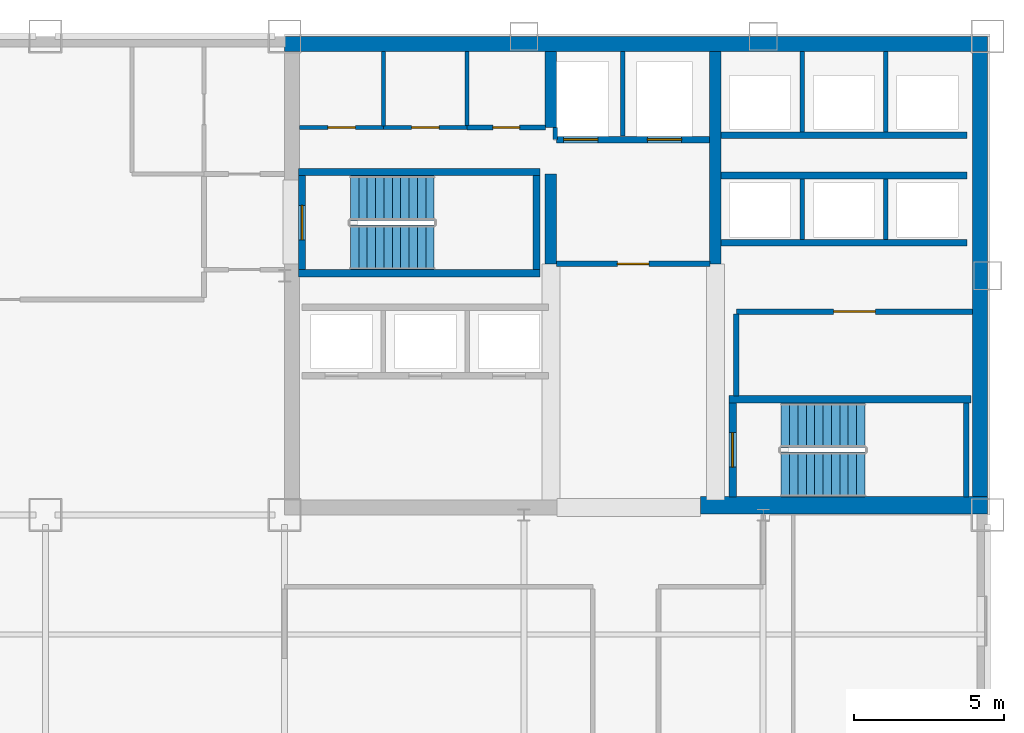
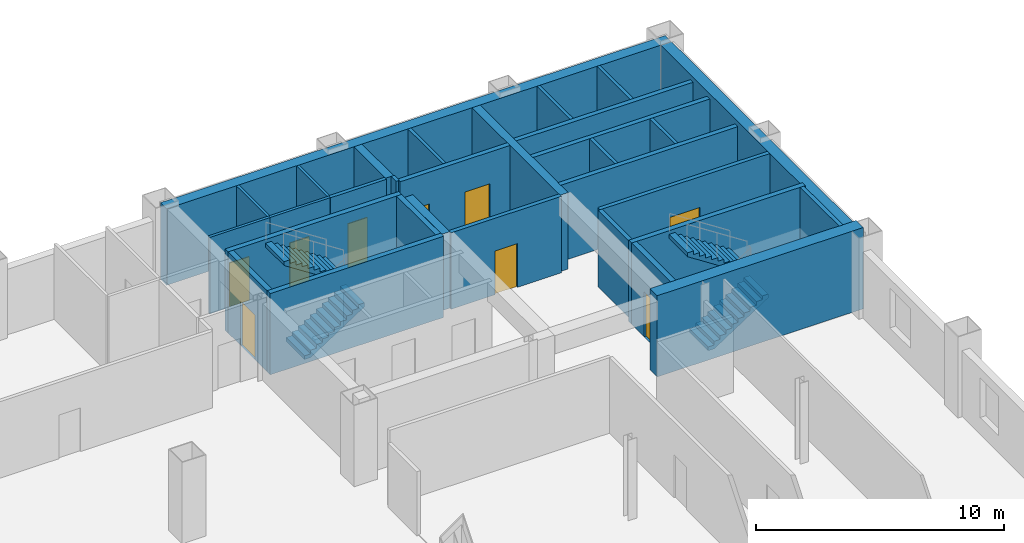
# One storey, part 7 of 9: 31 walls, 9 doors, 4 stair flights, 9 openings, 2 elements without a shape of their own.
"""IFC4 building model written with IfcOpenShell, lengths in metres."""

from ifc_helpers import new_model, si_unit, direction, frame, frame_2d, origin, place, context, subcontext, project, spatial, polyline, rectangle, outline, extrude, material, layer, layer_set, type_object, element, fill, aggregate, save


model = new_model("IFC4")

# Units and contexts
model_context = context("Model", 3, precision=1e-05, world=origin(), true_north=direction((0.0, 1.0)))
body_context = subcontext(model_context, "Body", "Model", "MODEL_VIEW")
ifc_project = project(units=[si_unit("LENGTHUNIT", "METRE"), si_unit("AREAUNIT", "SQUARE_METRE"), si_unit("VOLUMEUNIT", "CUBIC_METRE"), si_unit("PLANEANGLEUNIT", "RADIAN"), si_unit("MASSUNIT", "GRAM", prefix="KILO")], contexts=[model_context])

# Site, building, storey
site_placement = place(None, origin())
site = spatial("IfcSite", under=ifc_project, at=site_placement, CompositionType="ELEMENT")
building_placement = place(site_placement, origin())
building = spatial("IfcBuilding", under=site, at=building_placement, Name="Qianrong Seaharbour Tower", CompositionType="ELEMENT")
storey_placement = place(building_placement, frame((0.0, 0.0, 155.0)))
storey = spatial("IfcBuildingStorey", under=building, at=storey_placement, Name="L37", CompositionType="ELEMENT", Elevation=155.0)

# Walls
ifc_material_1 = material(Name="Concrete C60/75", Category="concrete")
ifc_layer_1 = layer(ifc_material_1, 0.5)
ifc_layer_set_1 = layer_set([ifc_layer_1], Name="Concrete C60/75")
wall_type_1 = type_object("IfcWallType", Name="WALL-CORE-500", PredefinedType="SHEAR", material=ifc_layer_set_1)
wall_1_placement = place(storey_placement, frame((40.5, 51.75, 0.0), z_axis=(0.0, 0.0, 1.0), x_axis=(1.0, 0.0, 0.0)))
element("IfcWall", 1, at=wall_1_placement, inside=storey, type_object=wall_type_1, Name="L37 North Core Shear Wall", PredefinedType="SHEAR", context=body_context, shape_type="SweptSolid", body=[
    extrude(rectangle(XDim=23.5, YDim=0.5, at=frame_2d((11.75, 0.0))), origin(), (0.0, 0.0, 1.0), 3.764892578125),
])
wall_2_placement = place(storey_placement, frame((63.75, 36.320068359375, 0.0), z_axis=(0.0, 0.0, 1.0), x_axis=(0.0, 1.0, 0.0)))
element("IfcWall", 2, at=wall_2_placement, inside=storey, type_object=wall_type_1, Name="L37 East Core Shear Wall", PredefinedType="SHEAR", context=body_context, shape_type="SweptSolid", body=[
    extrude(rectangle(XDim=15.179931640625, YDim=0.5, at=frame_2d((7.58984375, 0.0))), origin(), (0.0, 0.0, 1.0), 3.764892578125),
])
ifc_material_2 = material(Name="Concrete C70/85", Category="concrete")
ifc_layer_2 = layer(ifc_material_2, 0.580078125)
ifc_layer_set_2 = layer_set([ifc_layer_2], Name="Concrete C70/85")
wall_type_2 = type_object("IfcWallType", Name="WALL-CORE-580", PredefinedType="SHEAR", material=ifc_layer_set_2)
wall_3_placement = place(storey_placement, frame((54.39990234375, 36.320068359375, 0.0), z_axis=(0.0, 0.0, 1.0), x_axis=(1.0, 0.0, 0.0)))
element("IfcWall", 3, at=wall_3_placement, inside=storey, type_object=wall_type_2, Name="L37 South Core Shear Wall S3", PredefinedType="SHEAR", context=body_context, shape_type="SweptSolid", body=[
    extrude(rectangle(XDim=9.60009765625, YDim=0.580078125, at=frame_2d((4.800048828125, 0.0))), origin(), (0.0, 0.0, 1.0), 4.0),
])
ifc_layer_3 = layer(ifc_material_1, 0.3798828125)
ifc_layer_set_3 = layer_set([ifc_layer_3], Name="Concrete C60/75")
wall_type_3 = type_object("IfcWallType", Name="WALL-CORE-INT-380", PredefinedType="SHEAR", material=ifc_layer_set_3)
wall_4_placement = place(storey_placement, frame((49.39990234375, 44.39990234375, 0.0), z_axis=(0.0, 0.0, 1.0), x_axis=(0.0, 1.0, 0.0)))
element("IfcWall", 4, at=wall_4_placement, inside=storey, type_object=wall_type_3, Name="L37 Internal Core Shear Wall IW1N1", PredefinedType="SHEAR", context=body_context, shape_type="SweptSolid", body=[
    extrude(rectangle(XDim=3.0, YDim=0.3798828125, at=frame_2d((1.5, 0.0))), origin(), (0.0, 0.0, 1.0), 3.764892578125),
])
wall_5_placement = place(storey_placement, frame((49.39990234375, 48.949951171875, 0.0), z_axis=(0.0, 0.0, 1.0), x_axis=(0.0, 1.0, 0.0)))
element("IfcWall", 5, at=wall_5_placement, inside=storey, type_object=wall_type_3, Name="L37 Internal Core Shear Wall IW1N2", PredefinedType="SHEAR", context=body_context, shape_type="SweptSolid", body=[
    extrude(rectangle(XDim=2.550048828125, YDim=0.3798828125, at=frame_2d((1.27490234375, 0.0))), origin(), (0.0, 0.0, 1.0), 3.764892578125),
])
wall_6_placement = place(storey_placement, frame((54.89990234375, 44.39990234375, 0.0), z_axis=(0.0, 0.0, 1.0), x_axis=(0.0, 1.0, 0.0)))
element("IfcWall", 6, at=wall_6_placement, inside=storey, type_object=wall_type_3, Name="L37 Internal Core Shear Wall IW2N", PredefinedType="SHEAR", context=body_context, shape_type="SweptSolid", body=[
    extrude(rectangle(XDim=7.10009765625, YDim=0.3798828125, at=frame_2d((3.550048828125, 0.0))), origin(), (0.0, 0.0, 1.0), 3.764892578125),
])

# Wall, opening, door
ifc_material_3 = material(Name="Fire-rated acoustic gypsum board partition")
ifc_layer_4 = layer(ifc_material_3, 0.1650390625)
ifc_layer_set_4 = layer_set([ifc_layer_4], Name="Fire-rated acoustic gypsum board partition")
wall_type_4 = type_object("IfcWallType", Name="WALL-CORR-PART-165", PredefinedType="PARTITIONING", material=ifc_layer_set_4)
wall_7_placement = place(storey_placement, frame((46.60009765625, 48.949951171875, 0.0), z_axis=(0.0, 0.0, 1.0), x_axis=(1.0, 0.0, 0.0)))
wall_7 = element("IfcWall", 7, at=wall_7_placement, inside=storey, type_object=wall_type_4, Name="L37 Interior Partition Wall 009", PredefinedType="PARTITIONING", context=body_context, shape_type="SweptSolid", body=[
    extrude(rectangle(XDim=2.617919921875, YDim=0.1650390625, at=frame_2d((1.30908203125, 0.0))), origin(), (0.0, 0.0, 1.0), 3.764892578125),
])
opening_1_placement = place(wall_7_placement, frame((0.85888671875, 0.0, 0.0)))
opening_1 = element("IfcOpeningElement", 8, at=opening_1_placement, cuts=wall_7, Name="Opening DS-01", PredefinedType="OPENING", context=body_context, shape_type="SweptSolid", body=[
    extrude(rectangle(XDim=0.89990234375, YDim=2.14990234375, at=frame_2d((0.449951171875, 1.074951171875))), frame((0.0, 0.092529296875, 0.0), z_axis=(0.0, -1.0, 0.0), x_axis=(1.0, 0.0, 0.0)), (0.0, 0.0, 1.0), 0.18505859375),
])
ifc_material_4 = material(Name="Acoustic timber and galvanized steel fire door assembly", Category="steel")
door_type_1 = type_object("IfcDoorType", Name="DOOR-STORE-900x2150", OperationType="NOTDEFINED", PredefinedType="DOOR", material=ifc_material_4)
door_1_placement = place(opening_1_placement, origin())
door_1 = element("IfcDoor", 9, at=door_1_placement, inside=storey, type_object=door_type_1, Name="L37 Cleaner Store Room Door", OperationType="SINGLE_SWING_LEFT", OverallHeight=2.14990234375, OverallWidth=0.89990234375, PredefinedType="DOOR", context=body_context, shape_type="SweptSolid", body=[
    extrude(rectangle(XDim=0.89990234375, YDim=2.14990234375, at=frame_2d((0.449951171875, 1.074951171875))), frame((0.0, 0.02490234375, 0.0), z_axis=(0.0, -1.0, 0.0), x_axis=(1.0, 0.0, 0.0)), (0.0, 0.0, 1.0), 0.050048828125),
])
fill(opening_1, door_1)

ifc_material_5 = material(Name="Double fire-rated gypsum board acoustic partition")
ifc_layer_5 = layer(ifc_material_5, 0.18994140625)
ifc_layer_set_5 = layer_set([ifc_layer_5], Name="Double fire-rated gypsum board acoustic partition")
wall_type_5 = type_object("IfcWallType", Name="WALL-FIRE-PART-190", PredefinedType="PARTITIONING", material=ifc_layer_set_5)
wall_8_placement = place(storey_placement, frame((54.718017578125, 44.39990234375, 0.0), z_axis=(0.0, 0.0, 1.0), x_axis=(-1.0, 0.0, 0.0)))
wall_8 = element("IfcWall", 10, at=wall_8_placement, inside=storey, type_object=wall_type_5, Name="L37 Interior Partition Wall 010", PredefinedType="PARTITIONING", context=body_context, shape_type="SweptSolid", body=[
    extrude(rectangle(XDim=5.135986328125, YDim=0.18994140625, at=frame_2d((2.56787109375, 0.0))), origin(), (0.0, 0.0, 1.0), 3.764892578125),
])
opening_2_placement = place(wall_8_placement, frame((2.04296875, 0.0, 0.0)))
opening_2 = element("IfcOpeningElement", 11, at=opening_2_placement, cuts=wall_8, Name="Opening DC-01", PredefinedType="OPENING", context=body_context, shape_type="SweptSolid", body=[
    extrude(rectangle(XDim=1.050048828125, YDim=2.14990234375, at=frame_2d((0.52490234375, 1.074951171875))), frame((0.0, 0.10498046875, 0.0), z_axis=(0.0, -1.0, 0.0), x_axis=(1.0, 0.0, 0.0)), (0.0, 0.0, 1.0), 0.2099609375),
])
door_type_2 = type_object("IfcDoorType", Name="DOOR-CORR-FD60-1050x2150", OperationType="NOTDEFINED", PredefinedType="DOOR", material=ifc_material_4)
door_2_placement = place(opening_2_placement, origin())
door_2 = element("IfcDoor", 12, at=door_2_placement, inside=storey, type_object=door_type_2, Name="L37 Firefighting Lift Lobby Door", OperationType="SINGLE_SWING_RIGHT", OverallHeight=2.14990234375, OverallWidth=1.050048828125, PredefinedType="DOOR", context=body_context, shape_type="SweptSolid", body=[
    extrude(rectangle(XDim=1.050048828125, YDim=2.14990234375, at=frame_2d((0.52490234375, 1.074951171875))), frame((0.0, 0.02490234375, 0.0), z_axis=(0.0, -1.0, 0.0), x_axis=(1.0, 0.0, 0.0)), (0.0, 0.0, 1.0), 0.050048828125),
])
fill(opening_2, door_2)

# Wall
wall_9_placement = place(storey_placement, frame((55.60009765625, 42.712890625, 0.0), z_axis=(0.0, 0.0, 1.0), x_axis=(0.0, -1.0, 0.0)))
element("IfcWall", 13, at=wall_9_placement, inside=storey, type_object=wall_type_5, Name="L37 Interior Partition Wall 011", PredefinedType="PARTITIONING", context=body_context, shape_type="SweptSolid", body=[
    extrude(rectangle(XDim=2.73095703125, YDim=0.18994140625, at=frame_2d((1.365478515625, 0.0))), origin(), (0.0, 0.0, 1.0), 3.764892578125),
])

# Wall, opening, door
wall_10_placement = place(storey_placement, frame((63.5, 42.800048828125, 0.0), z_axis=(0.0, 0.0, 1.0), x_axis=(-1.0, 0.0, 0.0)))
wall_10 = element("IfcWall", 14, at=wall_10_placement, inside=storey, type_object=wall_type_5, Name="L37 Interior Partition Wall 012", PredefinedType="PARTITIONING", context=body_context, shape_type="SweptSolid", body=[
    extrude(rectangle(XDim=7.89990234375, YDim=0.18994140625, at=frame_2d((3.949951171875, 0.0))), origin(), (0.0, 0.0, 1.0), 3.764892578125),
])
opening_3_placement = place(wall_10_placement, frame((3.25, 0.0, 0.0)))
opening_3 = element("IfcOpeningElement", 15, at=opening_3_placement, cuts=wall_10, Name="Opening DP-01", PredefinedType="OPENING", context=body_context, shape_type="SweptSolid", body=[
    extrude(rectangle(XDim=1.39990234375, YDim=2.25, at=frame_2d((0.699951171875, 1.125))), frame((0.0, 0.10498046875, 0.0), z_axis=(0.0, -1.0, 0.0), x_axis=(1.0, 0.0, 0.0)), (0.0, 0.0, 1.0), 0.2099609375),
])
door_type_3 = type_object("IfcDoorType", Name="DOOR-PLANT-PAIR-1400x2250", OperationType="DOUBLE_DOOR_SINGLE_SWING", PredefinedType="DOOR", material=ifc_material_4)
door_3_placement = place(opening_3_placement, origin())
door_3 = element("IfcDoor", 16, at=door_3_placement, inside=storey, type_object=door_type_3, Name="L37 Core Telecom Hub Room Door", OperationType="DOUBLE_DOOR_SINGLE_SWING", OverallHeight=2.25, OverallWidth=1.39990234375, PredefinedType="DOOR", context=body_context, shape_type="SweptSolid", body=[
    extrude(rectangle(XDim=1.39990234375, YDim=2.25, at=frame_2d((0.699951171875, 1.125))), frame((0.0, 0.02490234375, 0.0), z_axis=(0.0, -1.0, 0.0), x_axis=(1.0, 0.0, 0.0)), (0.0, 0.0, 1.0), 0.050048828125),
])
fill(opening_3, door_3)

# Walls
ifc_material_6 = material(Name="Fire-rated gypsum board on steel studs", Category="steel")
ifc_layer_6 = layer(ifc_material_6, 0.14990234375)
ifc_layer_set_6 = layer_set([ifc_layer_6], Name="Fire-rated gypsum board on steel studs")
wall_type_6 = type_object("IfcWallType", Name="WALL-SHAFT-DIV-150", PredefinedType="PARTITIONING", material=ifc_layer_set_6)
wall_11_placement = place(storey_placement, frame((51.800048828125, 48.669921875, 0.0), z_axis=(0.0, 0.0, 1.0), x_axis=(0.0, 1.0, 0.0)))
element("IfcWall", 17, at=wall_11_placement, inside=storey, type_object=wall_type_6, Name="L37 Firefighting Lift Shaft Divider Wall", PredefinedType="PARTITIONING", context=body_context, shape_type="SweptSolid", body=[
    extrude(rectangle(XDim=2.830078125, YDim=0.14990234375, at=frame_2d((1.4150390625, 0.0))), origin(), (0.0, 0.0, 1.0), 3.764892578125),
])
wall_12_placement = place(storey_placement, frame((49.550048828125, 48.550048828125, 0.0), z_axis=(0.0, 0.0, 1.0), x_axis=(0.0, 1.0, 0.0)))
element("IfcWall", 18, at=wall_12_placement, inside=storey, type_object=wall_type_6, Name="L37 Firefighting Lift Shaft West Return Wall", PredefinedType="PARTITIONING", context=body_context, shape_type="SweptSolid", body=[
    extrude(rectangle(XDim=0.39990234375, YDim=0.14990234375, at=frame_2d((0.199951171875, 0.0))), origin(), (0.0, 0.0, 1.0), 3.764892578125),
])
for number, where, z_axis, x_axis, name in (
    (19, (57.800048828125, 45.2099609375, 0.0), (0.0, 0.0, 1.0), (0.0, 1.0, 0.0), "L37 P3 Lift Hoistway Divider 2"),
    (20, (60.60009765625, 45.2099609375, 0.0), (0.0, 0.0, 1.0), (0.0, 1.0, 0.0), "L37 P3 Lift Hoistway Divider 3"),
):
    element("IfcWall", number, at=place(storey_placement, frame(where, z_axis=z_axis, x_axis=x_axis)), inside=storey, type_object=wall_type_6, Name=name, PredefinedType="PARTITIONING", context=body_context, shape_type="SweptSolid", body=[
        extrude(rectangle(XDim=2.030029296875, YDim=0.14990234375, at=frame_2d((1.01513671875, 0.0))), origin(), (0.0, 0.0, 1.0), 3.764892578125),
    ])
for number, where, z_axis, x_axis, name in (
    (21, (57.800048828125, 48.81005859375, 0.0), (0.0, 0.0, 1.0), (0.0, 1.0, 0.0), "L37 P4 Lift Hoistway Divider 2"),
    (22, (60.60009765625, 48.81005859375, 0.0), (0.0, 0.0, 1.0), (0.0, 1.0, 0.0), "L37 P4 Lift Hoistway Divider 3"),
):
    element("IfcWall", number, at=place(storey_placement, frame(where, z_axis=z_axis, x_axis=x_axis)), inside=storey, type_object=wall_type_6, Name=name, PredefinedType="PARTITIONING", context=body_context, shape_type="SweptSolid", body=[
        extrude(rectangle(XDim=2.68994140625, YDim=0.14990234375, at=frame_2d((1.344970703125, 0.0))), origin(), (0.0, 0.0, 1.0), 3.764892578125),
    ])

# Wall, openings, doors
ifc_layer_7 = layer(ifc_material_6, 0.219970703125)
ifc_layer_set_7 = layer_set([ifc_layer_7], Name="Fire-rated gypsum board on steel studs")
wall_type_7 = type_object("IfcWallType", Name="WALL-SHAFT-GYP220", PredefinedType="PARTITIONING", material=ifc_layer_set_7)
wall_13_placement = place(storey_placement, frame((54.7099609375, 48.550048828125, 0.0), z_axis=(0.0, 0.0, 1.0), x_axis=(-1.0, 0.0, 0.0)))
wall_13 = element("IfcWall", 23, at=wall_13_placement, inside=storey, type_object=wall_type_7, Name="L37 Firefighting Lift Shaft Front Wall", PredefinedType="PARTITIONING", context=body_context, shape_type="SweptSolid", body=[
    extrude(rectangle(XDim=5.119873046875, YDim=0.219970703125, at=frame_2d((2.56005859375, 0.0))), origin(), (0.0, 0.0, 1.0), 3.764892578125),
])
opening_4_placement = place(wall_13_placement, frame((3.735107421875, 0.0, 0.0)))
opening_4 = element("IfcOpeningElement", 24, at=opening_4_placement, cuts=wall_13, Name="Opening LD-01", PredefinedType="OPENING", context=body_context, shape_type="SweptSolid", body=[
    extrude(rectangle(XDim=1.14990234375, YDim=2.199951171875, at=frame_2d((0.574951171875, 1.10009765625))), frame((0.0, 0.1201171875, 0.0), z_axis=(0.0, -1.0, 0.0), x_axis=(1.0, 0.0, 0.0)), (0.0, 0.0, 1.0), 0.239990234375),
])
opening_5_placement = place(wall_13_placement, frame((0.93505859375, 0.0, 0.0)))
opening_5 = element("IfcOpeningElement", 25, at=opening_5_placement, cuts=wall_13, Name="Opening LD-01", PredefinedType="OPENING", context=body_context, shape_type="SweptSolid", body=[
    extrude(rectangle(XDim=1.14990234375, YDim=2.199951171875, at=frame_2d((0.574951171875, 1.10009765625))), frame((0.0, 0.1201171875, 0.0), z_axis=(0.0, -1.0, 0.0), x_axis=(1.0, 0.0, 0.0)), (0.0, 0.0, 1.0), 0.239990234375),
])
ifc_material_7 = material(Name="Stainless steel SUS316L bi-parting lift landing door", Category="steel")
door_type_4 = type_object("IfcDoorType", Name="DOOR-LIFT-FF-1150x2200", OperationType="DOUBLE_DOOR_SLIDING", PredefinedType="DOOR", material=ifc_material_7)
door_4_placement = place(opening_4_placement, origin())
door_4 = element("IfcDoor", 26, at=door_4_placement, inside=storey, type_object=door_type_4, Name="L37 FL-1 Firefighting Lift Landing Door", OperationType="DOUBLE_DOOR_SLIDING", OverallHeight=2.199951171875, OverallWidth=1.14990234375, PredefinedType="DOOR", context=body_context, shape_type="SweptSolid", body=[
    extrude(rectangle(XDim=1.14990234375, YDim=2.199951171875, at=frame_2d((0.574951171875, 1.10009765625))), frame((0.0, 0.02490234375, 0.0), z_axis=(0.0, -1.0, 0.0), x_axis=(1.0, 0.0, 0.0)), (0.0, 0.0, 1.0), 0.050048828125),
])
fill(opening_4, door_4)
door_5_placement = place(opening_5_placement, origin())
door_5 = element("IfcDoor", 27, at=door_5_placement, inside=storey, type_object=door_type_4, Name="L37 FL-2 Firefighting Lift Landing Door", OperationType="DOUBLE_DOOR_SLIDING", OverallHeight=2.199951171875, OverallWidth=1.14990234375, PredefinedType="DOOR", context=body_context, shape_type="SweptSolid", body=[
    extrude(rectangle(XDim=1.14990234375, YDim=2.199951171875, at=frame_2d((0.574951171875, 1.10009765625))), frame((0.0, 0.02490234375, 0.0), z_axis=(0.0, -1.0, 0.0), x_axis=(1.0, 0.0, 0.0)), (0.0, 0.0, 1.0), 0.050048828125),
])
fill(opening_5, door_5)

# Walls
for number, where, z_axis, x_axis, name in (
    (28, (63.320068359375, 45.10009765625, 0.0), (0.0, 0.0, 1.0), (-1.0, 0.0, 0.0), "L37 P3 Lift Hoistway Front Wall"),
    (29, (55.080078125, 47.35009765625, 0.0), (0.0, 0.0, 1.0), (1.0, 0.0, 0.0), "L37 P3 Lift Hoistway Back Wall"),
    (30, (63.320068359375, 48.699951171875, 0.0), (0.0, 0.0, 1.0), (-1.0, 0.0, 0.0), "L37 P4 Lift Hoistway Front Wall"),
):
    element("IfcWall", number, at=place(storey_placement, frame(where, z_axis=z_axis, x_axis=x_axis)), inside=storey, type_object=wall_type_7, Name=name, PredefinedType="PARTITIONING", context=body_context, shape_type="SweptSolid", body=[
        extrude(rectangle(XDim=8.239990234375, YDim=0.219970703125, at=frame_2d((4.1201171875, 0.0))), origin(), (0.0, 0.0, 1.0), 3.764892578125),
    ])
ifc_material_8 = material(Name="Concrete C50/60", Category="concrete")
ifc_layer_8 = layer(ifc_material_8, 0.239990234375)
ifc_layer_set_8 = layer_set([ifc_layer_8], Name="Concrete C50/60")
wall_type_8 = type_object("IfcWallType", Name="WALL-SHAFT-RC240", PredefinedType="SOLIDWALL", material=ifc_layer_set_8)
for number, where, z_axis, x_axis, name in (
    (31, (40.9599609375, 47.469970703125, 0.0), (0.0, 0.0, 1.0), (1.0, 0.0, 0.0), "L37 ST-1 Structural Stair Core Wall N"),
    (32, (49.0400390625, 44.080078125, 0.0), (0.0, 0.0, 1.0), (-1.0, 0.0, 0.0), "L37 ST-1 Structural Stair Core Wall S"),
):
    element("IfcWall", number, at=place(storey_placement, frame(where, z_axis=z_axis, x_axis=x_axis)), inside=storey, type_object=wall_type_8, Name=name, PredefinedType="SOLIDWALL", context=body_context, shape_type="SweptSolid", body=[
        extrude(rectangle(XDim=8.080078125, YDim=0.239990234375, at=frame_2d((4.0400390625, 0.0))), origin(), (0.0, 0.0, 1.0), 4.0),
    ])

# Wall, opening, door
wall_14_placement = place(storey_placement, frame((41.080078125, 47.35009765625, 0.0), z_axis=(0.0, 0.0, 1.0), x_axis=(0.0, -1.0, 0.0)))
wall_14 = element("IfcWall", 33, at=wall_14_placement, inside=storey, type_object=wall_type_8, Name="L37 ST-1 Structural Stair Core Wall W", PredefinedType="SOLIDWALL", context=body_context, shape_type="SweptSolid", body=[
    extrude(rectangle(XDim=3.150146484375, YDim=0.239990234375, at=frame_2d((1.5751953125, 0.0))), origin(), (0.0, 0.0, 1.0), 4.0),
])
opening_6_placement = place(wall_14_placement, frame((1.0, 0.0, 0.0)))
opening_6 = element("IfcOpeningElement", 34, at=opening_6_placement, cuts=wall_14, Name="Opening SD-01", PredefinedType="OPENING", context=body_context, shape_type="SweptSolid", body=[
    extrude(rectangle(XDim=1.14990234375, YDim=2.199951171875, at=frame_2d((0.574951171875, 1.10009765625))), frame((0.0, 0.1298828125, 0.0), z_axis=(0.0, -1.0, 0.0), x_axis=(1.0, 0.0, 0.0)), (0.0, 0.0, 1.0), 0.260009765625),
])
door_type_5 = type_object("IfcDoorType", Name="DOOR-STAIR-FD60-1150x2200", OperationType="NOTDEFINED", PredefinedType="DOOR", material=ifc_material_4)
door_6_placement = place(opening_6_placement, origin())
door_6 = element("IfcDoor", 35, at=door_6_placement, inside=storey, type_object=door_type_5, Name="L37 ST-1 Protected Stair Door", OperationType="SINGLE_SWING_RIGHT", OverallHeight=2.199951171875, OverallWidth=1.14990234375, PredefinedType="DOOR", context=body_context, shape_type="SweptSolid", body=[
    extrude(rectangle(XDim=1.14990234375, YDim=2.199951171875, at=frame_2d((0.574951171875, 1.10009765625))), frame((0.0, 0.02490234375, 0.0), z_axis=(0.0, -1.0, 0.0), x_axis=(1.0, 0.0, 0.0)), (0.0, 0.0, 1.0), 0.050048828125),
])
fill(opening_6, door_6)

# Walls
wall_15_placement = place(storey_placement, frame((48.919921875, 44.199951171875, 0.0), z_axis=(0.0, 0.0, 1.0), x_axis=(0.0, 1.0, 0.0)))
element("IfcWall", 36, at=wall_15_placement, inside=storey, type_object=wall_type_8, Name="L37 ST-1 Structural Stair Core Wall E", PredefinedType="SOLIDWALL", context=body_context, shape_type="SweptSolid", body=[
    extrude(rectangle(XDim=3.150146484375, YDim=0.239990234375, at=frame_2d((1.5751953125, 0.0))), origin(), (0.0, 0.0, 1.0), 4.0),
])
wall_16_placement = place(storey_placement, frame((55.360107421875, 39.8701171875, 0.0), z_axis=(0.0, 0.0, 1.0), x_axis=(1.0, 0.0, 0.0)))
element("IfcWall", 37, at=wall_16_placement, inside=storey, type_object=wall_type_8, Name="L37 ST-2 Structural Stair Core Wall N", PredefinedType="SOLIDWALL", context=body_context, shape_type="SweptSolid", body=[
    extrude(rectangle(XDim=8.079833984375, YDim=0.239990234375, at=frame_2d((4.0400390625, 0.0))), origin(), (0.0, 0.0, 1.0), 4.0),
])

# Wall, opening, door
wall_17_placement = place(storey_placement, frame((55.47998046875, 39.75, 0.0), z_axis=(0.0, 0.0, 1.0), x_axis=(0.0, -1.0, 0.0)))
wall_17 = element("IfcWall", 38, at=wall_17_placement, inside=storey, type_object=wall_type_8, Name="L37 ST-2 Structural Stair Core Wall W", PredefinedType="SOLIDWALL", context=body_context, shape_type="SweptSolid", body=[
    extrude(rectangle(XDim=3.14990234375, YDim=0.239990234375, at=frame_2d((1.574951171875, 0.0))), origin(), (0.0, 0.0, 1.0), 4.0),
])
opening_7_placement = place(wall_17_placement, frame((1.0, 0.0, 0.0)))
opening_7 = element("IfcOpeningElement", 39, at=opening_7_placement, cuts=wall_17, Name="Opening SD-01", PredefinedType="OPENING", context=body_context, shape_type="SweptSolid", body=[
    extrude(rectangle(XDim=1.14990234375, YDim=2.199951171875, at=frame_2d((0.574951171875, 1.10009765625))), frame((0.0, 0.1298828125, 0.0), z_axis=(0.0, -1.0, 0.0), x_axis=(1.0, 0.0, 0.0)), (0.0, 0.0, 1.0), 0.260009765625),
])
door_7_placement = place(opening_7_placement, origin())
door_7 = element("IfcDoor", 40, at=door_7_placement, inside=storey, type_object=door_type_5, Name="L37 ST-2 Protected Stair Door", OperationType="SINGLE_SWING_RIGHT", OverallHeight=2.199951171875, OverallWidth=1.14990234375, PredefinedType="DOOR", context=body_context, shape_type="SweptSolid", body=[
    extrude(rectangle(XDim=1.14990234375, YDim=2.199951171875, at=frame_2d((0.574951171875, 1.10009765625))), frame((0.0, 0.02490234375, 0.0), z_axis=(0.0, -1.0, 0.0), x_axis=(1.0, 0.0, 0.0)), (0.0, 0.0, 1.0), 0.050048828125),
])
fill(opening_7, door_7)

# Wall
wall_18_placement = place(storey_placement, frame((63.2900390625, 36.60009765625, 0.0), z_axis=(0.0, 0.0, 1.0), x_axis=(0.0, 1.0, 0.0)))
element("IfcWall", 41, at=wall_18_placement, inside=storey, type_object=wall_type_8, Name="L37 ST-2 Structural Stair Core Wall E", PredefinedType="SOLIDWALL", context=body_context, shape_type="SweptSolid", body=[
    extrude(rectangle(XDim=3.14990234375, YDim=0.179931640625, at=frame_2d((1.574951171875, 0.0))), origin(), (0.0, 0.0, 1.0), 4.0),
])

# Wall, opening, door
ifc_material_9 = material(Name="Water-resistant cement board sanitary partition")
ifc_layer_9 = layer(ifc_material_9, 0.1298828125)
ifc_layer_set_9 = layer_set([ifc_layer_9], Name="Water-resistant cement board sanitary partition")
wall_type_9 = type_object("IfcWallType", Name="WALL-WET-PART-130", PredefinedType="PARTITIONING", material=ifc_layer_set_9)
wall_19_placement = place(storey_placement, frame((41.0, 48.949951171875, 0.0), z_axis=(0.0, 0.0, 1.0), x_axis=(1.0, 0.0, 0.0)))
wall_19 = element("IfcWall", 42, at=wall_19_placement, inside=storey, type_object=wall_type_9, Name="L37 Interior Partition Wall 007", PredefinedType="PARTITIONING", context=body_context, shape_type="SweptSolid", body=[
    extrude(rectangle(XDim=2.800048828125, YDim=0.1298828125, at=frame_2d((1.39990234375, 0.0))), origin(), (0.0, 0.0, 1.0), 3.764892578125),
])
opening_8_placement = place(wall_19_placement, frame((0.93994140625, 0.0, 0.0)))
opening_8 = element("IfcOpeningElement", 43, at=opening_8_placement, cuts=wall_19, Name="Opening DW-01", PredefinedType="OPENING", context=body_context, shape_type="SweptSolid", body=[
    extrude(rectangle(XDim=0.919921875, YDim=2.14990234375, at=frame_2d((0.4599609375, 1.074951171875))), frame((0.0, 0.074951171875, 0.0), z_axis=(0.0, -1.0, 0.0), x_axis=(1.0, 0.0, 0.0)), (0.0, 0.0, 1.0), 0.14990234375),
])
door_type_6 = type_object("IfcDoorType", Name="DOOR-WC-920x2150", OperationType="NOTDEFINED", PredefinedType="DOOR", material=ifc_material_4)
door_8_placement = place(opening_8_placement, origin())
door_8 = element("IfcDoor", 44, at=door_8_placement, inside=storey, type_object=door_type_6, Name="L37 Male Restroom WC Door", OperationType="SINGLE_SWING_LEFT", OverallHeight=2.14990234375, OverallWidth=0.919921875, PredefinedType="DOOR", context=body_context, shape_type="SweptSolid", body=[
    extrude(rectangle(XDim=0.919921875, YDim=2.14990234375, at=frame_2d((0.4599609375, 1.074951171875))), frame((0.0, 0.02490234375, 0.0), z_axis=(0.0, -1.0, 0.0), x_axis=(1.0, 0.0, 0.0)), (0.0, 0.0, 1.0), 0.050048828125),
])
fill(opening_8, door_8)

wall_20_placement = place(storey_placement, frame((43.800048828125, 48.949951171875, 0.0), z_axis=(0.0, 0.0, 1.0), x_axis=(1.0, 0.0, 0.0)))
wall_20 = element("IfcWall", 45, at=wall_20_placement, inside=storey, type_object=wall_type_9, Name="L37 Interior Partition Wall 008", PredefinedType="PARTITIONING", context=body_context, shape_type="SweptSolid", body=[
    extrude(rectangle(XDim=2.800048828125, YDim=0.1298828125, at=frame_2d((1.39990234375, 0.0))), origin(), (0.0, 0.0, 1.0), 3.764892578125),
])
opening_9_placement = place(wall_20_placement, frame((0.93994140625, 0.0, 0.0)))
opening_9 = element("IfcOpeningElement", 46, at=opening_9_placement, cuts=wall_20, Name="Opening DW-01", PredefinedType="OPENING", context=body_context, shape_type="SweptSolid", body=[
    extrude(rectangle(XDim=0.919921875, YDim=2.14990234375, at=frame_2d((0.4599609375, 1.074951171875))), frame((0.0, 0.074951171875, 0.0), z_axis=(0.0, -1.0, 0.0), x_axis=(1.0, 0.0, 0.0)), (0.0, 0.0, 1.0), 0.14990234375),
])
door_9_placement = place(opening_9_placement, origin())
door_9 = element("IfcDoor", 47, at=door_9_placement, inside=storey, type_object=door_type_6, Name="L37 Female Restroom WC Door", OperationType="SINGLE_SWING_RIGHT", OverallHeight=2.14990234375, OverallWidth=0.919921875, PredefinedType="DOOR", context=body_context, shape_type="SweptSolid", body=[
    extrude(rectangle(XDim=0.919921875, YDim=2.14990234375, at=frame_2d((0.4599609375, 1.074951171875))), frame((0.0, 0.02490234375, 0.0), z_axis=(0.0, -1.0, 0.0), x_axis=(1.0, 0.0, 0.0)), (0.0, 0.0, 1.0), 0.050048828125),
])
fill(opening_9, door_9)

# Walls
wall_21_placement = place(storey_placement, frame((43.800048828125, 51.5, 0.0), z_axis=(0.0, 0.0, 1.0), x_axis=(0.0, -1.0, 0.0)))
element("IfcWall", 48, at=wall_21_placement, inside=storey, type_object=wall_type_9, Name="L37 Interior Partition Wall 013", PredefinedType="PARTITIONING", context=body_context, shape_type="SweptSolid", body=[
    extrude(rectangle(XDim=2.492919921875, YDim=0.1298828125, at=frame_2d((1.24658203125, 0.0))), origin(), (0.0, 0.0, 1.0), 3.764892578125),
])
wall_22_placement = place(storey_placement, frame((46.60009765625, 51.5, 0.0), z_axis=(0.0, 0.0, 1.0), x_axis=(0.0, -1.0, 0.0)))
element("IfcWall", 49, at=wall_22_placement, inside=storey, type_object=wall_type_9, Name="L37 Interior Partition Wall 014", PredefinedType="PARTITIONING", context=body_context, shape_type="SweptSolid", body=[
    extrude(rectangle(XDim=2.4755859375, YDim=0.1298828125, at=frame_2d((1.23779296875, 0.0))), origin(), (0.0, 0.0, 1.0), 3.764892578125),
])

# Stair, stair flights
stair_type = type_object("IfcStairType", Name="STAIR-DOGLEG-1500-R22", PredefinedType="HALF_TURN_STAIR", material=ifc_material_8)
stair_1_placement = place(storey_placement, origin())
stair_1 = element("IfcStair", 50, at=stair_1_placement, inside=storey, type_object=stair_type, Name="L37 Protected Escape Stair ST-1", PredefinedType="HALF_TURN_STAIR")
stair_flight_type = type_object("IfcStairFlightType", Name="FLIGHT-STR-1500-R22", PredefinedType="STRAIGHT", material=ifc_material_8)
stair_flight_1_placement = place(storey_placement, frame((42.699951171875, 44.949951171875, 0.0), z_axis=(0.0, 0.0, 1.0), x_axis=(1.0, 0.0, 0.0)))
stair_flight_1 = element("IfcStairFlight", 51, at=stair_flight_1_placement, type_object=stair_flight_type, Name="ST-1 flight 1", NumberOfRisers=11, NumberOfTreads=10, PredefinedType="STRAIGHT", RiserHeight=0.181818182, TreadLength=0.28, context=body_context, shape_type="SweptSolid", body=[
    extrude(outline(polyline([(0.0, 0.0), (0.0, 0.181884765625), (0.280029296875, 0.181884765625), (0.280029296875, 0.363525390625), (0.56005859375, 0.363525390625), (0.56005859375, 0.54541015625), (0.840087890625, 0.54541015625), (0.840087890625, 0.727294921875), (1.1201171875, 0.727294921875), (1.1201171875, 0.9091796875), (1.39990234375, 0.9091796875), (1.39990234375, 1.0908203125), (1.679931640625, 1.0908203125), (1.679931640625, 1.272705078125), (1.9599609375, 1.272705078125), (1.9599609375, 1.45458984375), (2.239990234375, 1.45458984375), (2.239990234375, 1.636474609375), (2.52001953125, 1.636474609375), (2.52001953125, 1.818115234375), (2.800048828125, 1.818115234375), (2.800048828125, 2.0), (2.800048828125, 1.62744140625), (0.293701171875, 0.0), (0.0, 0.0)])), frame((0.0, 0.75, 0.0), z_axis=(0.0, -1.0, 0.0), x_axis=(1.0, 0.0, 0.0)), (0.0, 0.0, 1.0), 1.5),
])
stair_flight_2_placement = place(storey_placement, frame((45.5, 46.60009765625, 2.0), z_axis=(0.0, 0.0, 1.0), x_axis=(-1.0, 0.0, 0.0)))
stair_flight_2 = element("IfcStairFlight", 52, at=stair_flight_2_placement, type_object=stair_flight_type, Name="ST-1 flight 2", NumberOfRisers=11, NumberOfTreads=10, PredefinedType="STRAIGHT", RiserHeight=0.181818182, TreadLength=0.28, context=body_context, shape_type="SweptSolid", body=[
    extrude(outline(polyline([(0.0, 0.0), (0.0, 0.181884765625), (0.280029296875, 0.181884765625), (0.280029296875, 0.363525390625), (0.56005859375, 0.363525390625), (0.56005859375, 0.54541015625), (0.840087890625, 0.54541015625), (0.840087890625, 0.727294921875), (1.1201171875, 0.727294921875), (1.1201171875, 0.9091796875), (1.39990234375, 0.9091796875), (1.39990234375, 1.0908203125), (1.679931640625, 1.0908203125), (1.679931640625, 1.272705078125), (1.9599609375, 1.272705078125), (1.9599609375, 1.45458984375), (2.239990234375, 1.45458984375), (2.239990234375, 1.636474609375), (2.52001953125, 1.636474609375), (2.52001953125, 1.818115234375), (2.800048828125, 1.818115234375), (2.800048828125, 2.0), (2.800048828125, 1.62744140625), (0.293701171875, 0.0), (0.0, 0.0)])), frame((0.0, 0.75, 0.0), z_axis=(0.0, -1.0, 0.0), x_axis=(1.0, 0.0, 0.0)), (0.0, 0.0, 1.0), 1.5),
])
aggregate(stair_1, [stair_flight_1, stair_flight_2])

stair_2_placement = place(storey_placement, origin())
stair_2 = element("IfcStair", 53, at=stair_2_placement, inside=storey, type_object=stair_type, Name="L37 Protected Escape Stair ST-2", PredefinedType="HALF_TURN_STAIR")
stair_flight_3_placement = place(storey_placement, frame((57.10009765625, 37.35009765625, 0.0), z_axis=(0.0, 0.0, 1.0), x_axis=(1.0, 0.0, 0.0)))
stair_flight_3 = element("IfcStairFlight", 54, at=stair_flight_3_placement, type_object=stair_flight_type, Name="ST-2 flight 1", NumberOfRisers=11, NumberOfTreads=10, PredefinedType="STRAIGHT", RiserHeight=0.181818182, TreadLength=0.28, context=body_context, shape_type="SweptSolid", body=[
    extrude(outline(polyline([(0.0, 0.0), (0.0, 0.181884765625), (0.280029296875, 0.181884765625), (0.280029296875, 0.363525390625), (0.56005859375, 0.363525390625), (0.56005859375, 0.54541015625), (0.840087890625, 0.54541015625), (0.840087890625, 0.727294921875), (1.1201171875, 0.727294921875), (1.1201171875, 0.9091796875), (1.39990234375, 0.9091796875), (1.39990234375, 1.0908203125), (1.679931640625, 1.0908203125), (1.679931640625, 1.272705078125), (1.9599609375, 1.272705078125), (1.9599609375, 1.45458984375), (2.239990234375, 1.45458984375), (2.239990234375, 1.636474609375), (2.52001953125, 1.636474609375), (2.52001953125, 1.818115234375), (2.800048828125, 1.818115234375), (2.800048828125, 2.0), (2.800048828125, 1.62744140625), (0.293701171875, 0.0), (0.0, 0.0)])), frame((0.0, 0.75, 0.0), z_axis=(0.0, -1.0, 0.0), x_axis=(1.0, 0.0, 0.0)), (0.0, 0.0, 1.0), 1.5),
])
stair_flight_4_placement = place(storey_placement, frame((59.89990234375, 39.0, 2.0), z_axis=(0.0, 0.0, 1.0), x_axis=(-1.0, 0.0, 0.0)))
stair_flight_4 = element("IfcStairFlight", 55, at=stair_flight_4_placement, type_object=stair_flight_type, Name="ST-2 flight 2", NumberOfRisers=11, NumberOfTreads=10, PredefinedType="STRAIGHT", RiserHeight=0.181818182, TreadLength=0.28, context=body_context, shape_type="SweptSolid", body=[
    extrude(outline(polyline([(0.0, 0.0), (0.0, 0.181884765625), (0.280029296875, 0.181884765625), (0.280029296875, 0.363525390625), (0.56005859375, 0.363525390625), (0.56005859375, 0.54541015625), (0.840087890625, 0.54541015625), (0.840087890625, 0.727294921875), (1.1201171875, 0.727294921875), (1.1201171875, 0.9091796875), (1.39990234375, 0.9091796875), (1.39990234375, 1.0908203125), (1.679931640625, 1.0908203125), (1.679931640625, 1.272705078125), (1.9599609375, 1.272705078125), (1.9599609375, 1.45458984375), (2.239990234375, 1.45458984375), (2.239990234375, 1.636474609375), (2.52001953125, 1.636474609375), (2.52001953125, 1.818115234375), (2.800048828125, 1.818115234375), (2.800048828125, 2.0), (2.800048828125, 1.62744140625), (0.293701171875, 0.0), (0.0, 0.0)])), frame((0.0, 0.75, 0.0), z_axis=(0.0, -1.0, 0.0), x_axis=(1.0, 0.0, 0.0)), (0.0, 0.0, 1.0), 1.5),
])
aggregate(stair_2, [stair_flight_3, stair_flight_4])

save(model, "model.ifc")
